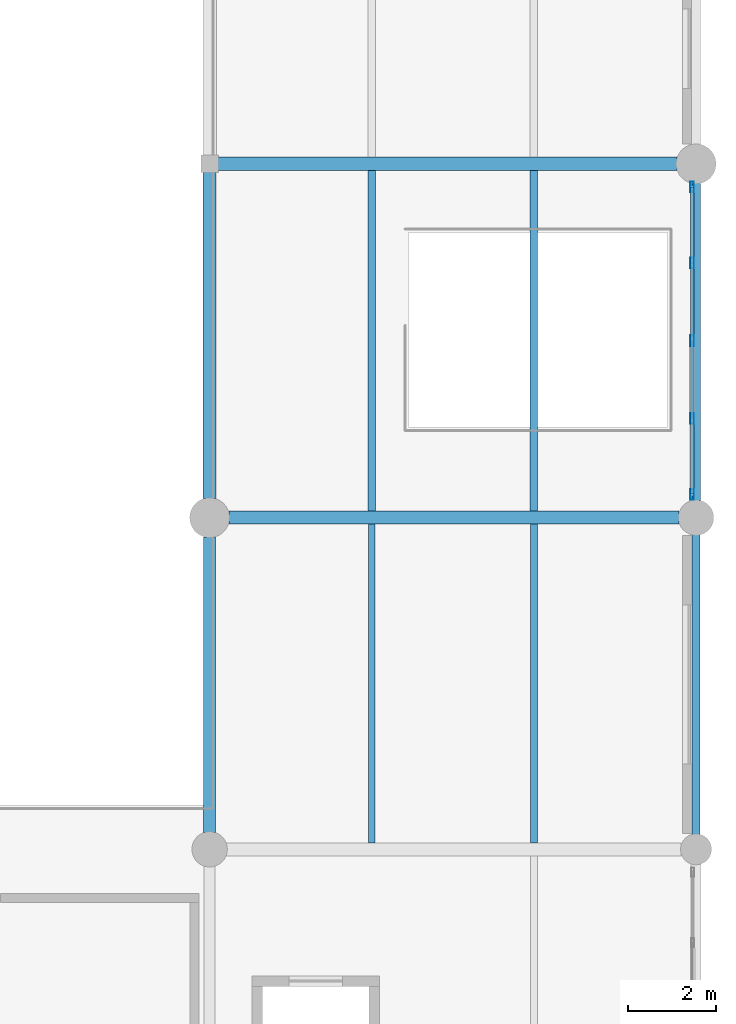
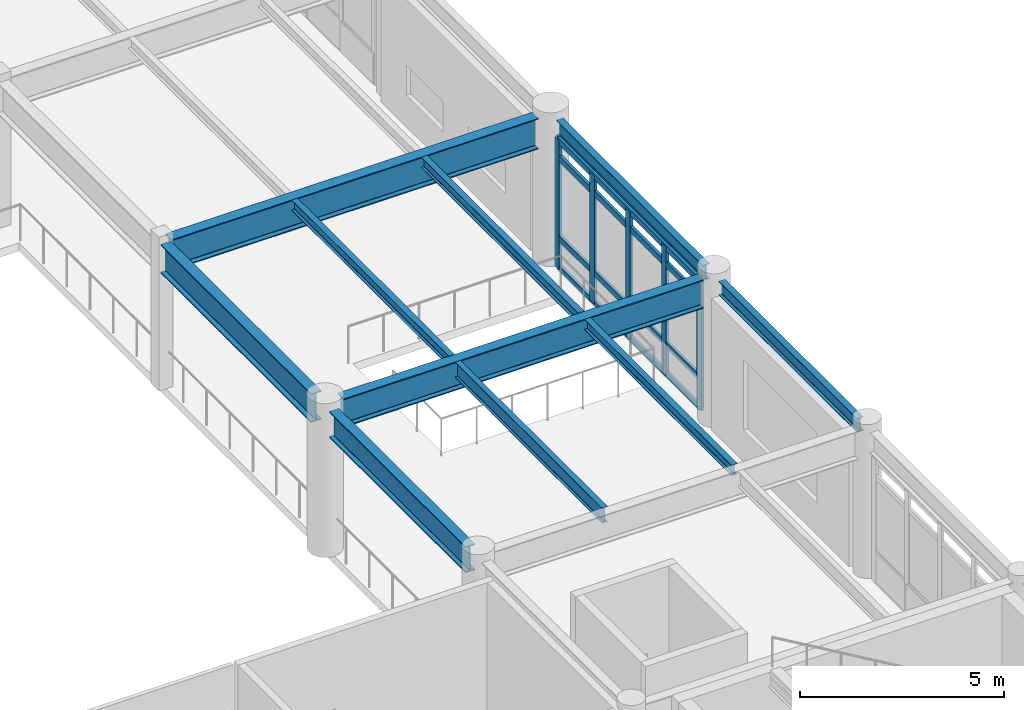
# One storey, part 101 of 168: 10 beams, 9 members, 1 element without a shape of its own.
"""IFC4 building model written with IfcOpenShell, lengths in metres."""

from ifc_helpers import new_model, si_unit, direction, frame, origin, origin_2d, place, context, subcontext, project, spatial, hollow_rectangle, i_section, extrude, material, material_profile, profile_set, type_object, element, aggregate, save


model = new_model("IFC4")

# Units and contexts
model_context = context("Model", 3, precision=1e-05, world=origin(), true_north=direction((0.0, 1.0)))
body_context = subcontext(model_context, "Body", "Model", "MODEL_VIEW")
ifc_project = project(units=[si_unit("LENGTHUNIT", "METRE"), si_unit("AREAUNIT", "SQUARE_METRE"), si_unit("VOLUMEUNIT", "CUBIC_METRE"), si_unit("PLANEANGLEUNIT", "RADIAN"), si_unit("MASSUNIT", "GRAM", prefix="KILO"), si_unit("THERMODYNAMICTEMPERATUREUNIT", "KELVIN"), si_unit("POWERUNIT", "WATT")], contexts=[model_context])

# Site, building, storey
site_placement = place(None, origin())
site = spatial("IfcSite", under=ifc_project, at=site_placement, CompositionType="ELEMENT")
building_placement = place(site_placement, origin())
building = spatial("IfcBuilding", under=site, at=building_placement, Name="Tepalcoro Natatorium and Aquatics Centre", CompositionType="ELEMENT")
storey_placement = place(building_placement, frame((0.0, 0.0, 10.199951171875)))
storey = spatial("IfcBuildingStorey", under=building, at=storey_placement, Name="L02", CompositionType="ELEMENT", Elevation=10.199951171875)

# Beams
ifc_material_1 = material(Name="Steel ASTM A992 Grade 50 (Fy 345 MPa)", Category="steel")
ifc_material_profile_1 = material_profile(ifc_material_1, i_section(OverallWidth=0.26708984375, OverallDepth=0.780029296875, WebThickness=0.01708984375, FlangeThickness=0.030029296875, FilletRadius=0.013916015625, at=origin_2d()), Name="W30X148")
ifc_profile_set_1 = profile_set([ifc_material_profile_1], Name="Steel ASTM A992 Grade 50 (Fy 345 MPa)")
beam_type_1 = type_object("IfcBeamType", Name="BM_W30x148", PredefinedType="BEAM", material=ifc_profile_set_1)
beam_1_placement = place(storey_placement, frame((165.0, 20.885009765625, 3.97509765625), z_axis=(0.0, 1.0, 0.0), x_axis=(-1.0, 0.0, 0.0)))
element("IfcBeam", 1, at=beam_1_placement, inside=storey, type_object=beam_type_1, Name="V2 L02 Grid Girder Y", PredefinedType="BEAM", context=body_context, shape_type="SweptSolid", body=[
    extrude(i_section(OverallWidth=0.26708984375, OverallDepth=0.780029296875, WebThickness=0.01708984375, FlangeThickness=0.030029296875, FilletRadius=0.013916015625, at=origin_2d()), origin(), (0.0, 0.0, 1.0), 6.679931640625),
])
ifc_material_profile_2 = material_profile(ifc_material_1, i_section(OverallWidth=0.2919921875, OverallDepth=0.85888671875, WebThickness=0.01708984375, FlangeThickness=0.031005859375, FilletRadius=0.013916015625, at=origin_2d()), Name="W33X169")
ifc_profile_set_2 = profile_set([ifc_material_profile_2], Name="Steel ASTM A992 Grade 50 (Fy 345 MPa)")
beam_type_2 = type_object("IfcBeamType", Name="BM_W33x169", PredefinedType="BEAM", material=ifc_profile_set_2)
beam_2_placement = place(storey_placement, frame((165.43505859375, 28.0, 3.935546875), z_axis=(1.0, 0.0, 0.0), x_axis=(0.0, 1.0, 0.0)))
element("IfcBeam", 2, at=beam_2_placement, inside=storey, type_object=beam_type_2, Name="V2 L02 Grid Girder X", PredefinedType="BEAM", context=body_context, shape_type="SweptSolid", body=[
    extrude(i_section(OverallWidth=0.2919921875, OverallDepth=0.85888671875, WebThickness=0.01708984375, FlangeThickness=0.031005859375, FilletRadius=0.013916015625, at=origin_2d()), origin(), (0.0, 0.0, 1.0), 10.179931640625),
])
beam_3_placement = place(storey_placement, frame((165.0, 28.43505859375, 3.935546875), z_axis=(0.0, 1.0, 0.0), x_axis=(-1.0, 0.0, 0.0)))
element("IfcBeam", 3, at=beam_3_placement, inside=storey, type_object=beam_type_2, Name="V2 L02 Grid Girder Y", PredefinedType="BEAM", context=body_context, shape_type="SweptSolid", body=[
    extrude(i_section(OverallWidth=0.2919921875, OverallDepth=0.85888671875, WebThickness=0.01708984375, FlangeThickness=0.031005859375, FilletRadius=0.013916015625, at=origin_2d()), origin(), (0.0, 0.0, 1.0), 7.3798828125),
])
ifc_material_profile_3 = material_profile(ifc_material_1, i_section(OverallWidth=0.304931640625, OverallDepth=0.9189453125, WebThickness=0.01708984375, FlangeThickness=0.028076171875, FilletRadius=0.013916015625, at=origin_2d()), Name="W36X170")
ifc_profile_set_3 = profile_set([ifc_material_profile_3], Name="Steel ASTM A992 Grade 50 (Fy 345 MPa)")
beam_type_3 = type_object("IfcBeamType", Name="BM_W36x170", PredefinedType="BEAM", material=ifc_profile_set_3)
beam_4_placement = place(storey_placement, frame((165.18505859375, 36.0, 3.905517578125), z_axis=(1.0, 0.0, 0.0), x_axis=(0.0, 1.0, 0.0)))
element("IfcBeam", 4, at=beam_4_placement, inside=storey, type_object=beam_type_3, Name="V2 L02 Grid Girder X", PredefinedType="BEAM", context=body_context, shape_type="SweptSolid", body=[
    extrude(i_section(OverallWidth=0.304931640625, OverallDepth=0.9189453125, WebThickness=0.01708984375, FlangeThickness=0.028076171875, FilletRadius=0.013916015625, at=origin_2d()), origin(), (0.0, 0.0, 1.0), 10.3798828125),
])

# Curtain wall, members
ifc_material_2 = material(Name="Bronze-Anodised Extruded Aluminium Alloy EN AW-6063 T6", Category="aluminium")
curtain_wall_type = type_object("IfcCurtainWallType", Name="CW_V1_PLINTH", PredefinedType="USERDEFINED", material=ifc_material_2)
curtain_wall_placement = place(storey_placement, origin())
curtain_wall = element("IfcCurtainWall", 5, at=curtain_wall_placement, inside=storey, type_object=curtain_wall_type, Name="V2 L02 E Unitised Curtain Wall Bay 4", ObjectType="UNITISED STOREFRONT", PredefinedType="USERDEFINED")
ifc_material_profile_4 = material_profile(ifc_material_2, hollow_rectangle(XDim=0.080078125, YDim=0.239990234375, WallThickness=0.0048828125, at=origin_2d()), Name="AL80X240X5")
ifc_profile_set_4 = profile_set([ifc_material_profile_4], Name="Bronze-Anodised Extruded Aluminium Alloy EN AW-6063 T6")
member_type_1 = type_object("IfcMemberType", Name="CW_MUL_80x240", PredefinedType="MULLION", material=ifc_profile_set_4)
member_1_placement = place(storey_placement, frame((175.909912109375, 28.52001953125, 0.02001953125), z_axis=(0.0, 0.0, 1.0), x_axis=(1.0, 0.0, 0.0)))
member_1 = element("IfcMember", 6, at=member_1_placement, type_object=member_type_1, Name="CW_V1_PLINTH Curtain Wall Mullion", PredefinedType="MULLION", context=body_context, shape_type="SweptSolid", body=[
    extrude(hollow_rectangle(XDim=0.080078125, YDim=0.239990234375, WallThickness=0.0048828125, at=origin_2d()), origin(), (0.0, 0.0, 1.0), 3.85009765625),
])
member_2_placement = place(storey_placement, frame((175.909912109375, 30.239990234375, 0.02001953125), z_axis=(0.0, 0.0, 1.0), x_axis=(1.0, 0.0, 0.0)))
member_2 = element("IfcMember", 7, at=member_2_placement, type_object=member_type_1, Name="CW_V1_PLINTH Curtain Wall Mullion", PredefinedType="MULLION", context=body_context, shape_type="SweptSolid", body=[
    extrude(hollow_rectangle(XDim=0.080078125, YDim=0.239990234375, WallThickness=0.0048828125, at=origin_2d()), origin(), (0.0, 0.0, 1.0), 3.85009765625),
])
member_3_placement = place(storey_placement, frame((175.909912109375, 32.0, 0.02001953125), z_axis=(0.0, 0.0, 1.0), x_axis=(1.0, 0.0, 0.0)))
member_3 = element("IfcMember", 8, at=member_3_placement, type_object=member_type_1, Name="CW_V1_PLINTH Curtain Wall Mullion", PredefinedType="MULLION", context=body_context, shape_type="SweptSolid", body=[
    extrude(hollow_rectangle(XDim=0.080078125, YDim=0.239990234375, WallThickness=0.0048828125, at=origin_2d()), origin(), (0.0, 0.0, 1.0), 3.85009765625),
])
member_4_placement = place(storey_placement, frame((175.909912109375, 33.760009765625, 0.02001953125), z_axis=(0.0, 0.0, 1.0), x_axis=(1.0, 0.0, 0.0)))
member_4 = element("IfcMember", 9, at=member_4_placement, type_object=member_type_1, Name="CW_V1_PLINTH Curtain Wall Mullion", PredefinedType="MULLION", context=body_context, shape_type="SweptSolid", body=[
    extrude(hollow_rectangle(XDim=0.080078125, YDim=0.239990234375, WallThickness=0.0048828125, at=origin_2d()), origin(), (0.0, 0.0, 1.0), 3.85009765625),
])
member_5_placement = place(storey_placement, frame((175.909912109375, 35.47998046875, 0.02001953125), z_axis=(0.0, 0.0, 1.0), x_axis=(1.0, 0.0, 0.0)))
member_5 = element("IfcMember", 10, at=member_5_placement, type_object=member_type_1, Name="CW_V1_PLINTH Curtain Wall Mullion", PredefinedType="MULLION", context=body_context, shape_type="SweptSolid", body=[
    extrude(hollow_rectangle(XDim=0.080078125, YDim=0.239990234375, WallThickness=0.0048828125, at=origin_2d()), origin(), (0.0, 0.0, 1.0), 3.85009765625),
])
ifc_material_profile_5 = material_profile(ifc_material_2, hollow_rectangle(XDim=0.080078125, YDim=0.179931640625, WallThickness=0.0048828125, at=origin_2d()), Name="AL80X180X5")
ifc_profile_set_5 = profile_set([ifc_material_profile_5], Name="Bronze-Anodised Extruded Aluminium Alloy EN AW-6063 T6")
member_type_2 = type_object("IfcMemberType", Name="CW_TRN_80x180", PredefinedType="USERDEFINED", material=ifc_profile_set_5)
member_6_placement = place(storey_placement, frame((175.909912109375, 28.530029296875, 0.050048828125), z_axis=(0.0, 1.0, 0.0), x_axis=(-1.0, 0.0, 0.0)))
member_6 = element("IfcMember", 11, at=member_6_placement, type_object=member_type_2, Name="CW_V1_PLINTH Curtain Wall Transom", ObjectType="TRANSOM", PredefinedType="USERDEFINED", context=body_context, shape_type="SweptSolid", body=[
    extrude(hollow_rectangle(XDim=0.080078125, YDim=0.179931640625, WallThickness=0.0048828125, at=origin_2d()), origin(), (0.0, 0.0, 1.0), 6.93994140625),
])
member_7_placement = place(storey_placement, frame((175.909912109375, 28.530029296875, 0.949951171875), z_axis=(0.0, 1.0, 0.0), x_axis=(-1.0, 0.0, 0.0)))
member_7 = element("IfcMember", 12, at=member_7_placement, type_object=member_type_2, Name="CW_V1_PLINTH Curtain Wall Transom", ObjectType="TRANSOM", PredefinedType="USERDEFINED", context=body_context, shape_type="SweptSolid", body=[
    extrude(hollow_rectangle(XDim=0.080078125, YDim=0.179931640625, WallThickness=0.0048828125, at=origin_2d()), origin(), (0.0, 0.0, 1.0), 6.93994140625),
])
member_8_placement = place(storey_placement, frame((175.909912109375, 28.530029296875, 3.340087890625), z_axis=(0.0, 1.0, 0.0), x_axis=(-1.0, 0.0, 0.0)))
member_8 = element("IfcMember", 13, at=member_8_placement, type_object=member_type_2, Name="CW_V1_PLINTH Curtain Wall Transom", ObjectType="TRANSOM", PredefinedType="USERDEFINED", context=body_context, shape_type="SweptSolid", body=[
    extrude(hollow_rectangle(XDim=0.080078125, YDim=0.179931640625, WallThickness=0.0048828125, at=origin_2d()), origin(), (0.0, 0.0, 1.0), 6.93994140625),
])
member_9_placement = place(storey_placement, frame((175.909912109375, 28.530029296875, 3.840087890625), z_axis=(0.0, 1.0, 0.0), x_axis=(-1.0, 0.0, 0.0)))
member_9 = element("IfcMember", 14, at=member_9_placement, type_object=member_type_2, Name="CW_V1_PLINTH Curtain Wall Transom", ObjectType="TRANSOM", PredefinedType="USERDEFINED", context=body_context, shape_type="SweptSolid", body=[
    extrude(hollow_rectangle(XDim=0.080078125, YDim=0.179931640625, WallThickness=0.0048828125, at=origin_2d()), origin(), (0.0, 0.0, 1.0), 6.93994140625),
])
aggregate(curtain_wall, [member_1, member_2, member_3, member_4, member_5, member_6, member_7, member_8, member_9])

# Beams
ifc_material_profile_6 = material_profile(ifc_material_1, i_section(OverallWidth=0.1650390625, OverallDepth=0.31005859375, WebThickness=0.006103515625, FlangeThickness=0.010009765625, FilletRadius=0.013916015625, at=origin_2d()), Name="W12X26")
ifc_profile_set_6 = profile_set([ifc_material_profile_6], Name="Steel ASTM A992 Grade 50 (Fy 345 MPa)")
beam_type_4 = type_object("IfcBeamType", Name="JS_W12x26", PredefinedType="JOIST", material=ifc_profile_set_6)
beam_5_placement = place(storey_placement, frame((172.333251953125, 20.64599609375, 4.2099609375), z_axis=(0.0, 1.0, 0.0), x_axis=(-1.0, 0.0, 0.0)))
element("IfcBeam", 15, at=beam_5_placement, inside=storey, type_object=beam_type_4, Name="V2 L02 Floor Joist", PredefinedType="JOIST", context=body_context, shape_type="SweptSolid", body=[
    extrude(i_section(OverallWidth=0.1650390625, OverallDepth=0.31005859375, WebThickness=0.006103515625, FlangeThickness=0.010009765625, FilletRadius=0.013916015625, at=origin_2d()), origin(), (0.0, 0.0, 1.0), 7.2080078125),
])
beam_6_placement = place(storey_placement, frame((168.666748046875, 28.14599609375, 4.2099609375), z_axis=(0.0, 1.0, 0.0), x_axis=(-1.0, 0.0, 0.0)))
element("IfcBeam", 16, at=beam_6_placement, inside=storey, type_object=beam_type_4, Name="V2 L02 Floor Joist", PredefinedType="JOIST", context=body_context, shape_type="SweptSolid", body=[
    extrude(i_section(OverallWidth=0.1650390625, OverallDepth=0.31005859375, WebThickness=0.006103515625, FlangeThickness=0.010009765625, FilletRadius=0.013916015625, at=origin_2d()), origin(), (0.0, 0.0, 1.0), 7.701416015625),
])
ifc_material_profile_7 = material_profile(ifc_material_1, i_section(OverallWidth=0.1669921875, OverallDepth=0.318115234375, WebThickness=0.008056640625, FlangeThickness=0.012939453125, FilletRadius=0.013916015625, at=origin_2d()), Name="W12X35")
ifc_profile_set_7 = profile_set([ifc_material_profile_7], Name="Steel ASTM A992 Grade 50 (Fy 345 MPa)")
beam_type_5 = type_object("IfcBeamType", Name="JS_W12x35", PredefinedType="JOIST", material=ifc_profile_set_7)
beam_7_placement = place(storey_placement, frame((172.333251953125, 28.14599609375, 4.2060546875), z_axis=(0.0, 1.0, 0.0), x_axis=(-1.0, 0.0, 0.0)))
element("IfcBeam", 17, at=beam_7_placement, inside=storey, type_object=beam_type_5, Name="V2 L02 Floor Joist", PredefinedType="JOIST", context=body_context, shape_type="SweptSolid", body=[
    extrude(i_section(OverallWidth=0.1669921875, OverallDepth=0.318115234375, WebThickness=0.008056640625, FlangeThickness=0.012939453125, FilletRadius=0.013916015625, at=origin_2d()), origin(), (0.0, 0.0, 1.0), 7.701416015625),
])
ifc_material_profile_8 = material_profile(ifc_material_1, i_section(OverallWidth=0.153076171875, OverallDepth=0.455078125, WebThickness=0.008056640625, FlangeThickness=0.012939453125, FilletRadius=0.013916015625, at=origin_2d()), Name="W18X40")
ifc_profile_set_8 = profile_set([ifc_material_profile_8], Name="Steel ASTM A992 Grade 50 (Fy 345 MPa)")
beam_type_6 = type_object("IfcBeamType", Name="JS_W18x40", PredefinedType="JOIST", material=ifc_profile_set_8)
beam_8_placement = place(storey_placement, frame((168.666748046875, 20.64599609375, 4.137451171875), z_axis=(0.0, 1.0, 0.0), x_axis=(-1.0, 0.0, 0.0)))
element("IfcBeam", 18, at=beam_8_placement, inside=storey, type_object=beam_type_6, Name="V2 L02 Floor Joist", PredefinedType="JOIST", context=body_context, shape_type="SweptSolid", body=[
    extrude(i_section(OverallWidth=0.153076171875, OverallDepth=0.455078125, WebThickness=0.008056640625, FlangeThickness=0.012939453125, FilletRadius=0.013916015625, at=origin_2d()), origin(), (0.0, 0.0, 1.0), 7.2080078125),
])
ifc_material_profile_9 = material_profile(ifc_material_1, i_section(OverallWidth=0.179931640625, OverallDepth=0.4130859375, WebThickness=0.010009765625, FlangeThickness=0.01611328125, FilletRadius=0.013916015625, at=origin_2d()), Name="W16X50")
ifc_profile_set_9 = profile_set([ifc_material_profile_9], Name="Steel ASTM A992 Grade 50 (Fy 345 MPa)")
beam_type_7 = type_object("IfcBeamType", Name="SP_HSS300x200x12", PredefinedType="SPANDREL", material=ifc_profile_set_9)
beam_9_placement = place(storey_placement, frame((176.0, 20.8349609375, 4.158447265625), z_axis=(0.0, 1.0, 0.0), x_axis=(-1.0, 0.0, 0.0)))
element("IfcBeam", 19, at=beam_9_placement, inside=storey, type_object=beam_type_7, Name="V2 L02 Grid Girder Y", PredefinedType="SPANDREL", context=body_context, shape_type="SweptSolid", body=[
    extrude(i_section(OverallWidth=0.179931640625, OverallDepth=0.4130859375, WebThickness=0.010009765625, FlangeThickness=0.01611328125, FilletRadius=0.013916015625, at=origin_2d()), origin(), (0.0, 0.0, 1.0), 6.780029296875),
])
ifc_material_profile_10 = material_profile(ifc_material_1, i_section(OverallWidth=0.19091796875, OverallDepth=0.4599609375, WebThickness=0.010009765625, FlangeThickness=0.01611328125, FilletRadius=0.013916015625, at=origin_2d()), Name="W18X55")
ifc_profile_set_10 = profile_set([ifc_material_profile_10], Name="Steel ASTM A992 Grade 50 (Fy 345 MPa)")
beam_type_8 = type_object("IfcBeamType", Name="SP_W18x55", PredefinedType="SPANDREL", material=ifc_profile_set_10)
beam_10_placement = place(storey_placement, frame((176.0, 28.385009765625, 4.135009765625), z_axis=(0.0, 1.0, 0.0), x_axis=(-1.0, 0.0, 0.0)))
element("IfcBeam", 20, at=beam_10_placement, inside=storey, type_object=beam_type_8, Name="V2 L02 Grid Girder Y", PredefinedType="SPANDREL", context=body_context, shape_type="SweptSolid", body=[
    extrude(i_section(OverallWidth=0.19091796875, OverallDepth=0.4599609375, WebThickness=0.010009765625, FlangeThickness=0.01611328125, FilletRadius=0.013916015625, at=origin_2d()), origin(), (0.0, 0.0, 1.0), 7.179931640625),
])

save(model, "model.ifc")
